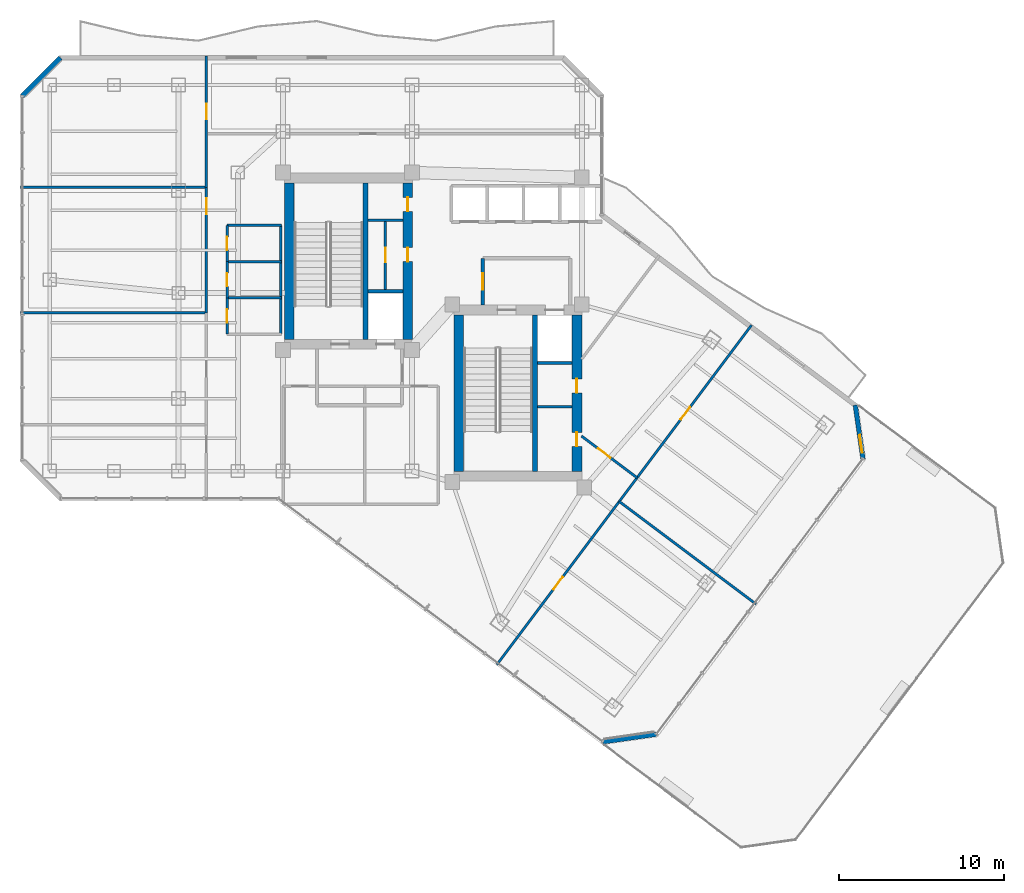
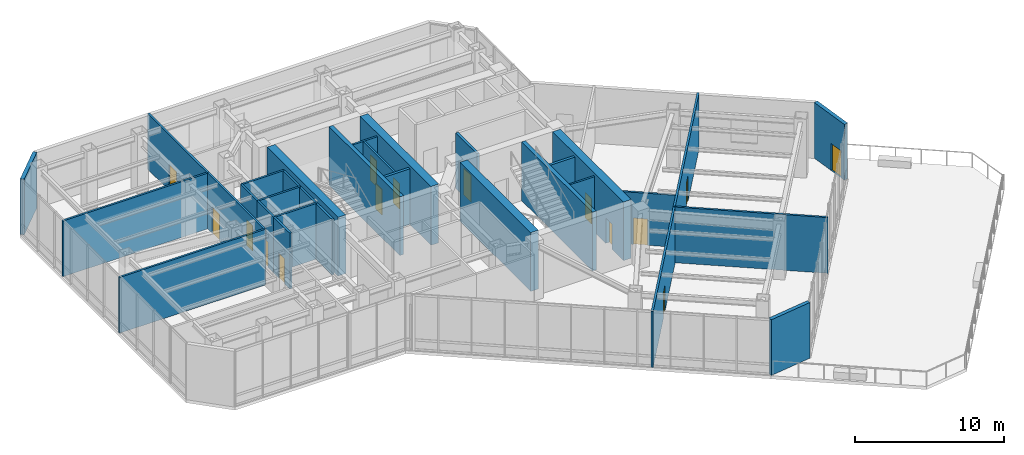
# One storey, part 23 of 30: 30 walls, 15 doors, 15 openings.
"""IFC4 building model written with IfcOpenShell, lengths in metres."""

from ifc_helpers import new_model, si_unit, direction, frame, frame_2d, origin, place, context, subcontext, project, spatial, rectangle, extrude, material, layer, layer_set, type_object, element, fill, save


model = new_model("IFC4")

# Units and contexts
model_context = context("Model", 3, precision=1e-05, world=origin(), true_north=direction((0.0, 1.0)))
body_context = subcontext(model_context, "Body", "Model", "MODEL_VIEW")
ifc_project = project(units=[si_unit("LENGTHUNIT", "METRE"), si_unit("AREAUNIT", "SQUARE_METRE"), si_unit("VOLUMEUNIT", "CUBIC_METRE"), si_unit("PLANEANGLEUNIT", "RADIAN"), si_unit("MASSUNIT", "GRAM", prefix="KILO")], contexts=[model_context])

# Site, building, storey
site_placement = place(None, origin())
site = spatial("IfcSite", under=ifc_project, at=site_placement, CompositionType="ELEMENT")
building_placement = place(site_placement, origin())
building = spatial("IfcBuilding", under=site, at=building_placement, Name="Hatsunagi Terrace Concourse", CompositionType="ELEMENT")
storey_placement = place(building_placement, frame((0.0, 0.0, 130.050048828125)))
storey = spatial("IfcBuildingStorey", under=building, at=storey_placement, Name="L34", CompositionType="ELEMENT", Elevation=130.050048828125)

# Wall
ifc_material_1 = material(Name="Concrete Fc48", Category="concrete")
ifc_layer_1 = layer(ifc_material_1, 0.60009765625)
ifc_layer_set_1 = layer_set([ifc_layer_1], Name="CoreShearWall_Fc48_600")
wall_type_1 = type_object("IfcWallType", Name="CoreShearWall_Fc48_600", PredefinedType="SHEAR", material=ifc_layer_set_1)
wall_1_placement = place(storey_placement, frame((25.919921875, 33.18994140625, 0.0), z_axis=(0.0, 0.0, 1.0), x_axis=(0.0, 1.0, 0.0)))
element("IfcWall", 1, at=wall_1_placement, inside=storey, type_object=wall_type_1, Name="Core A Shear Wall W L34", PredefinedType="SHEAR", context=body_context, shape_type="SweptSolid", body=[
    extrude(rectangle(XDim=9.47998046875, YDim=0.60009765625, at=frame_2d((4.739990234375, 0.0))), origin(), (0.0, 0.0, 1.0), 4.800048828125),
])

# Wall, openings, doors
wall_2_placement = place(storey_placement, frame((33.10009765625, 33.18994140625, 0.0), z_axis=(0.0, 0.0, 1.0), x_axis=(0.0, 1.0, 0.0)))
wall_2 = element("IfcWall", 2, at=wall_2_placement, inside=storey, type_object=wall_type_1, Name="Core A Shear Wall E L34", PredefinedType="SHEAR", context=body_context, shape_type="SweptSolid", body=[
    extrude(rectangle(XDim=9.47998046875, YDim=0.60009765625, at=frame_2d((4.739990234375, 0.0))), origin(), (0.0, 0.0, 1.0), 4.800048828125),
])
opening_1_placement = place(wall_2_placement, frame((4.7099609375, 0.0, 0.0)))
opening_1 = element("IfcOpeningElement", 3, at=opening_1_placement, cuts=wall_2, Name="Opening DR-085", PredefinedType="OPENING", context=body_context, shape_type="SweptSolid", body=[
    extrude(rectangle(XDim=0.85009765625, YDim=2.080078125, at=frame_2d((0.425048828125, 1.0400390625))), frame((0.0, 0.31005859375, 0.0), z_axis=(0.0, -1.0, 0.0), x_axis=(1.0, 0.0, 0.0)), (0.0, 0.0, 1.0), 0.6201171875),
])
opening_2_placement = place(wall_2_placement, frame((7.760009765625, 0.0, 0.0)))
opening_2 = element("IfcOpeningElement", 4, at=opening_2_placement, cuts=wall_2, Name="Opening DR-085", PredefinedType="OPENING", context=body_context, shape_type="SweptSolid", body=[
    extrude(rectangle(XDim=0.85009765625, YDim=2.080078125, at=frame_2d((0.425048828125, 1.0400390625))), frame((0.0, 0.31005859375, 0.0), z_axis=(0.0, -1.0, 0.0), x_axis=(1.0, 0.0, 0.0)), (0.0, 0.0, 1.0), 0.6201171875),
])
ifc_material_2 = material(Name="Painted steel", Category="steel")
door_type_1 = type_object("IfcDoorType", Name="RiserAccessDoor_EI60_850", OperationType="NOTDEFINED", PredefinedType="DOOR", material=ifc_material_2)
door_1_placement = place(opening_1_placement, origin())
door_1 = element("IfcDoor", 5, at=door_1_placement, inside=storey, type_object=door_type_1, Name="Core A Riser Door L34-1", OperationType="SINGLE_SWING_LEFT", OverallHeight=2.080078125, OverallWidth=0.85009765625, PredefinedType="DOOR", context=body_context, shape_type="SweptSolid", body=[
    extrude(rectangle(XDim=0.85009765625, YDim=2.080078125, at=frame_2d((0.425048828125, 1.0400390625))), frame((0.0, 0.02490234375, 0.0), z_axis=(0.0, -1.0, 0.0), x_axis=(1.0, 0.0, 0.0)), (0.0, 0.0, 1.0), 0.050048828125),
])
fill(opening_1, door_1)
door_2_placement = place(opening_2_placement, origin())
door_2 = element("IfcDoor", 6, at=door_2_placement, inside=storey, type_object=door_type_1, Name="Core A Riser Door L34-2", OperationType="SINGLE_SWING_LEFT", OverallHeight=2.080078125, OverallWidth=0.85009765625, PredefinedType="DOOR", context=body_context, shape_type="SweptSolid", body=[
    extrude(rectangle(XDim=0.85009765625, YDim=2.080078125, at=frame_2d((0.425048828125, 1.0400390625))), frame((0.0, 0.02490234375, 0.0), z_axis=(0.0, -1.0, 0.0), x_axis=(1.0, 0.0, 0.0)), (0.0, 0.0, 1.0), 0.050048828125),
])
fill(opening_2, door_2)

# Wall
wall_3_placement = place(storey_placement, frame((36.18994140625, 25.18994140625, 0.0), z_axis=(0.0, 0.0, 1.0), x_axis=(0.0, 1.0, 0.0)))
element("IfcWall", 7, at=wall_3_placement, inside=storey, type_object=wall_type_1, Name="Core B Shear Wall W L34", PredefinedType="SHEAR", context=body_context, shape_type="SweptSolid", body=[
    extrude(rectangle(XDim=9.47998046875, YDim=0.60009765625, at=frame_2d((4.739990234375, 0.0))), origin(), (0.0, 0.0, 1.0), 4.800048828125),
])

# Wall, openings, doors
wall_4_placement = place(storey_placement, frame((43.35009765625, 25.18994140625, 0.0), z_axis=(0.0, 0.0, 1.0), x_axis=(0.0, 1.0, 0.0)))
wall_4 = element("IfcWall", 8, at=wall_4_placement, inside=storey, type_object=wall_type_1, Name="Core B Shear Wall E L34", PredefinedType="SHEAR", context=body_context, shape_type="SweptSolid", body=[
    extrude(rectangle(XDim=9.47998046875, YDim=0.60009765625, at=frame_2d((4.739990234375, 0.0))), origin(), (0.0, 0.0, 1.0), 4.800048828125),
])
opening_3_placement = place(wall_4_placement, frame((1.510009765625, 0.0, 0.0)))
opening_3 = element("IfcOpeningElement", 9, at=opening_3_placement, cuts=wall_4, Name="Opening DR-085", PredefinedType="OPENING", context=body_context, shape_type="SweptSolid", body=[
    extrude(rectangle(XDim=0.85009765625, YDim=2.080078125, at=frame_2d((0.425048828125, 1.0400390625))), frame((0.0, 0.31005859375, 0.0), z_axis=(0.0, -1.0, 0.0), x_axis=(1.0, 0.0, 0.0)), (0.0, 0.0, 1.0), 0.6201171875),
])
opening_4_placement = place(wall_4_placement, frame((4.760009765625, 0.0, 0.0)))
opening_4 = element("IfcOpeningElement", 10, at=opening_4_placement, cuts=wall_4, Name="Opening DR-085", PredefinedType="OPENING", context=body_context, shape_type="SweptSolid", body=[
    extrude(rectangle(XDim=0.85009765625, YDim=2.080078125, at=frame_2d((0.425048828125, 1.0400390625))), frame((0.0, 0.31005859375, 0.0), z_axis=(0.0, -1.0, 0.0), x_axis=(1.0, 0.0, 0.0)), (0.0, 0.0, 1.0), 0.6201171875),
])
door_3_placement = place(opening_3_placement, origin())
door_3 = element("IfcDoor", 11, at=door_3_placement, inside=storey, type_object=door_type_1, Name="Core B Riser Door L34-1", OperationType="SINGLE_SWING_RIGHT", OverallHeight=2.080078125, OverallWidth=0.85009765625, PredefinedType="DOOR", context=body_context, shape_type="SweptSolid", body=[
    extrude(rectangle(XDim=0.85009765625, YDim=2.080078125, at=frame_2d((0.425048828125, 1.0400390625))), frame((0.0, 0.02490234375, 0.0), z_axis=(0.0, -1.0, 0.0), x_axis=(1.0, 0.0, 0.0)), (0.0, 0.0, 1.0), 0.050048828125),
])
fill(opening_3, door_3)
door_4_placement = place(opening_4_placement, origin())
door_4 = element("IfcDoor", 12, at=door_4_placement, inside=storey, type_object=door_type_1, Name="Core B Riser Door L34-2", OperationType="SINGLE_SWING_RIGHT", OverallHeight=2.080078125, OverallWidth=0.85009765625, PredefinedType="DOOR", context=body_context, shape_type="SweptSolid", body=[
    extrude(rectangle(XDim=0.85009765625, YDim=2.080078125, at=frame_2d((0.425048828125, 1.0400390625))), frame((0.0, 0.02490234375, 0.0), z_axis=(0.0, -1.0, 0.0), x_axis=(1.0, 0.0, 0.0)), (0.0, 0.0, 1.0), 0.050048828125),
])
fill(opening_4, door_4)

# Walls
ifc_material_3 = material(Name="Concrete Fc48", Category="concrete")
ifc_layer_2 = layer(ifc_material_3, 0.300048828125)
ifc_layer_set_2 = layer_set([ifc_layer_2], Name="CoreStairDivider_Fc48_300")
wall_type_2 = type_object("IfcWallType", Name="CoreStairDivider_Fc48_300", PredefinedType="SHEAR", material=ifc_layer_set_2)
for number, where, z_axis, x_axis, name in (
    (13, (30.5400390625, 33.18994140625, 0.0), (0.0, 0.0, 1.0), (0.0, 1.0, 0.0), "Core A Shear Wall D L34"),
    (14, (40.81005859375, 25.18994140625, 0.0), (0.0, 0.0, 1.0), (0.0, 1.0, 0.0), "Core B Shear Wall D L34"),
):
    element("IfcWall", number, at=place(storey_placement, frame(where, z_axis=z_axis, x_axis=x_axis)), inside=storey, type_object=wall_type_2, Name=name, PredefinedType="SHEAR", context=body_context, shape_type="SweptSolid", body=[
        extrude(rectangle(XDim=9.47998046875, YDim=0.300048828125, at=frame_2d((4.739990234375, 0.0))), origin(), (0.0, 0.0, 1.0), 4.800048828125),
    ])

# Wall, opening, door
ifc_material_4 = material(Name="Acoustic mineral board", Category="gypsum")
ifc_layer_3 = layer(ifc_material_4, 0.14990234375)
ifc_layer_set_3 = layer_set([ifc_layer_3], Name="PartitionWall_EI60_150")
wall_type_3 = type_object("IfcWallType", Name="PartitionWall_EI60_150", PredefinedType="PARTITIONING", material=ifc_layer_set_3)
wall_5_placement = place(storey_placement, frame((31.75, 36.179931640625, 0.0), z_axis=(0.0, 0.0, 1.0), x_axis=(0.0, 1.0, 0.0)))
wall_5 = element("IfcWall", 15, at=wall_5_placement, inside=storey, type_object=wall_type_3, Name="Interior Partition IW-L34-002", PredefinedType="PARTITIONING", context=body_context, shape_type="SweptSolid", body=[
    extrude(rectangle(XDim=4.239990234375, YDim=0.14990234375, at=frame_2d((2.1201171875, 0.0))), origin(), (0.0, 0.0, 1.0), 4.550048828125),
])
opening_5_placement = place(wall_5_placement, frame((1.695068359375, 0.0, 0.0)))
opening_5 = element("IfcOpeningElement", 16, at=opening_5_placement, cuts=wall_5, Name="Opening DR-085", PredefinedType="OPENING", context=body_context, shape_type="SweptSolid", body=[
    extrude(rectangle(XDim=0.85009765625, YDim=2.080078125, at=frame_2d((0.425048828125, 1.0400390625))), frame((0.0, 0.0849609375, 0.0), z_axis=(0.0, -1.0, 0.0), x_axis=(1.0, 0.0, 0.0)), (0.0, 0.0, 1.0), 0.169921875),
])
door_5_placement = place(opening_5_placement, origin())
door_5 = element("IfcDoor", 17, at=door_5_placement, inside=storey, type_object=door_type_1, Name="Core A Sub-Riser Door L34", OperationType="SINGLE_SWING_LEFT", OverallHeight=2.080078125, OverallWidth=0.85009765625, PredefinedType="DOOR", context=body_context, shape_type="SweptSolid", body=[
    extrude(rectangle(XDim=0.85009765625, YDim=2.080078125, at=frame_2d((0.425048828125, 1.0400390625))), frame((0.0, 0.02490234375, 0.0), z_axis=(0.0, -1.0, 0.0), x_axis=(1.0, 0.0, 0.0)), (0.0, 0.0, 1.0), 0.050048828125),
])
fill(opening_5, door_5)

# Walls
wall_6_placement = place(storey_placement, frame((30.699951171875, 40.39990234375, 0.0), z_axis=(0.0, 0.0, 1.0), x_axis=(1.0, 0.0, 0.0)))
element("IfcWall", 18, at=wall_6_placement, inside=storey, type_object=wall_type_3, Name="Interior Partition IW-L34-003", PredefinedType="PARTITIONING", context=body_context, shape_type="SweptSolid", body=[
    extrude(rectangle(XDim=2.10009765625, YDim=0.14990234375, at=frame_2d((1.050048828125, 0.0))), origin(), (0.0, 0.0, 1.0), 4.550048828125),
])
wall_7_placement = place(storey_placement, frame((40.969970703125, 29.10009765625, 0.0), z_axis=(0.0, 0.0, 1.0), x_axis=(1.0, 0.0, 0.0)))
element("IfcWall", 19, at=wall_7_placement, inside=storey, type_object=wall_type_3, Name="Interior Partition IW-L34-005", PredefinedType="PARTITIONING", context=body_context, shape_type="SweptSolid", body=[
    extrude(rectangle(XDim=2.080078125, YDim=0.14990234375, at=frame_2d((1.0400390625, 0.0))), origin(), (0.0, 0.0, 1.0), 4.550048828125),
])
wall_8_placement = place(storey_placement, frame((22.14990234375, 40.10009765625, 0.0), z_axis=(0.0, 0.0, 1.0), x_axis=(1.0, 0.0, 0.0)))
element("IfcWall", 20, at=wall_8_placement, inside=storey, type_object=wall_type_3, Name="Interior Partition IW-L34-019", PredefinedType="PARTITIONING", context=body_context, shape_type="SweptSolid", body=[
    extrude(rectangle(XDim=3.300048828125, YDim=0.14990234375, at=frame_2d((1.64990234375, 0.0))), origin(), (0.0, 0.0, 1.0), 4.550048828125),
])
wall_9_placement = place(storey_placement, frame((25.39990234375, 33.5, 0.0), z_axis=(0.0, 0.0, 1.0), x_axis=(0.0, 1.0, 0.0)))
element("IfcWall", 21, at=wall_9_placement, inside=storey, type_object=wall_type_3, Name="Interior Partition IW-L34-020", PredefinedType="PARTITIONING", context=body_context, shape_type="SweptSolid", body=[
    extrude(rectangle(XDim=6.60009765625, YDim=0.14990234375, at=frame_2d((3.300048828125, 0.0))), origin(), (0.0, 0.0, 1.0), 4.550048828125),
])
for number, where, z_axis, x_axis, name in (
    (22, (22.14990234375, 35.699951171875, 0.0), (0.0, 0.0, 1.0), (1.0, 0.0, 0.0), "Interior Partition IW-L34-021"),
    (23, (22.14990234375, 37.89990234375, 0.0), (0.0, 0.0, 1.0), (1.0, 0.0, 0.0), "Interior Partition IW-L34-022"),
):
    element("IfcWall", number, at=place(storey_placement, frame(where, z_axis=z_axis, x_axis=x_axis)), inside=storey, type_object=wall_type_3, Name=name, PredefinedType="PARTITIONING", context=body_context, shape_type="SweptSolid", body=[
        extrude(rectangle(XDim=3.300048828125, YDim=0.14990234375, at=frame_2d((1.64990234375, 0.0))), origin(), (0.0, 0.0, 1.0), 4.550048828125),
    ])

# Wall, opening, door
wall_10_placement = place(storey_placement, frame((22.14990234375, 33.5, 0.0), z_axis=(0.0, 0.0, 1.0), x_axis=(0.0, 1.0, 0.0)))
wall_10 = element("IfcWall", 24, at=wall_10_placement, inside=storey, type_object=wall_type_3, Name="Interior Partition IW-L34-023", PredefinedType="PARTITIONING", context=body_context, shape_type="SweptSolid", body=[
    extrude(rectangle(XDim=2.199951171875, YDim=0.14990234375, at=frame_2d((1.10009765625, 0.0))), origin(), (0.0, 0.0, 1.0), 4.550048828125),
])
opening_6_placement = place(wall_10_placement, frame((0.699951171875, 0.0, 0.0)))
opening_6 = element("IfcOpeningElement", 25, at=opening_6_placement, cuts=wall_10, Name="Opening DR-080", PredefinedType="OPENING", context=body_context, shape_type="SweptSolid", body=[
    extrude(rectangle(XDim=0.800048828125, YDim=2.06005859375, at=frame_2d((0.39990234375, 1.030029296875))), frame((0.0, 0.0849609375, 0.0), z_axis=(0.0, -1.0, 0.0), x_axis=(1.0, 0.0, 0.0)), (0.0, 0.0, 1.0), 0.169921875),
])
ifc_material_5 = material(Name="Hardwood timber", Category="wood")
door_type_2 = type_object("IfcDoorType", Name="BathroomDoor_800", OperationType="NOTDEFINED", PredefinedType="DOOR", material=ifc_material_5)
door_6_placement = place(opening_6_placement, origin())
door_6 = element("IfcDoor", 26, at=door_6_placement, inside=storey, type_object=door_type_2, Name="Accessible WC Door L34", OperationType="SINGLE_SWING_RIGHT", OverallHeight=2.06005859375, OverallWidth=0.800048828125, PredefinedType="DOOR", context=body_context, shape_type="SweptSolid", body=[
    extrude(rectangle(XDim=0.800048828125, YDim=2.06005859375, at=frame_2d((0.39990234375, 1.030029296875))), frame((0.0, 0.02490234375, 0.0), z_axis=(0.0, -1.0, 0.0), x_axis=(1.0, 0.0, 0.0)), (0.0, 0.0, 1.0), 0.050048828125),
])
fill(opening_6, door_6)

wall_11_placement = place(storey_placement, frame((22.14990234375, 35.699951171875, 0.0), z_axis=(0.0, 0.0, 1.0), x_axis=(0.0, 1.0, 0.0)))
wall_11 = element("IfcWall", 27, at=wall_11_placement, inside=storey, type_object=wall_type_3, Name="Interior Partition IW-L34-024", PredefinedType="PARTITIONING", context=body_context, shape_type="SweptSolid", body=[
    extrude(rectangle(XDim=2.199951171875, YDim=0.14990234375, at=frame_2d((1.10009765625, 0.0))), origin(), (0.0, 0.0, 1.0), 4.550048828125),
])
opening_7_placement = place(wall_11_placement, frame((0.699951171875, 0.0, 0.0)))
opening_7 = element("IfcOpeningElement", 28, at=opening_7_placement, cuts=wall_11, Name="Opening DR-080", PredefinedType="OPENING", context=body_context, shape_type="SweptSolid", body=[
    extrude(rectangle(XDim=0.800048828125, YDim=2.06005859375, at=frame_2d((0.39990234375, 1.030029296875))), frame((0.0, 0.0849609375, 0.0), z_axis=(0.0, -1.0, 0.0), x_axis=(1.0, 0.0, 0.0)), (0.0, 0.0, 1.0), 0.169921875),
])
door_7_placement = place(opening_7_placement, origin())
door_7 = element("IfcDoor", 29, at=door_7_placement, inside=storey, type_object=door_type_2, Name="Female Restroom Door L34", OperationType="SINGLE_SWING_RIGHT", OverallHeight=2.06005859375, OverallWidth=0.800048828125, PredefinedType="DOOR", context=body_context, shape_type="SweptSolid", body=[
    extrude(rectangle(XDim=0.800048828125, YDim=2.06005859375, at=frame_2d((0.39990234375, 1.030029296875))), frame((0.0, 0.02490234375, 0.0), z_axis=(0.0, -1.0, 0.0), x_axis=(1.0, 0.0, 0.0)), (0.0, 0.0, 1.0), 0.050048828125),
])
fill(opening_7, door_7)

wall_12_placement = place(storey_placement, frame((22.14990234375, 37.89990234375, 0.0), z_axis=(0.0, 0.0, 1.0), x_axis=(0.0, 1.0, 0.0)))
wall_12 = element("IfcWall", 30, at=wall_12_placement, inside=storey, type_object=wall_type_3, Name="Interior Partition IW-L34-025", PredefinedType="PARTITIONING", context=body_context, shape_type="SweptSolid", body=[
    extrude(rectangle(XDim=2.2001953125, YDim=0.14990234375, at=frame_2d((1.10009765625, 0.0))), origin(), (0.0, 0.0, 1.0), 4.550048828125),
])
opening_8_placement = place(wall_12_placement, frame((0.699951171875, 0.0, 0.0)))
opening_8 = element("IfcOpeningElement", 31, at=opening_8_placement, cuts=wall_12, Name="Opening DR-080", PredefinedType="OPENING", context=body_context, shape_type="SweptSolid", body=[
    extrude(rectangle(XDim=0.800048828125, YDim=2.06005859375, at=frame_2d((0.39990234375, 1.030029296875))), frame((0.0, 0.0849609375, 0.0), z_axis=(0.0, -1.0, 0.0), x_axis=(1.0, 0.0, 0.0)), (0.0, 0.0, 1.0), 0.169921875),
])
door_8_placement = place(opening_8_placement, origin())
door_8 = element("IfcDoor", 32, at=door_8_placement, inside=storey, type_object=door_type_2, Name="Male Restroom Door L34", OperationType="SINGLE_SWING_RIGHT", OverallHeight=2.06005859375, OverallWidth=0.800048828125, PredefinedType="DOOR", context=body_context, shape_type="SweptSolid", body=[
    extrude(rectangle(XDim=0.800048828125, YDim=2.06005859375, at=frame_2d((0.39990234375, 1.030029296875))), frame((0.0, 0.02490234375, 0.0), z_axis=(0.0, -1.0, 0.0), x_axis=(1.0, 0.0, 0.0)), (0.0, 0.0, 1.0), 0.050048828125),
])
fill(opening_8, door_8)

# Walls
for number, where, z_axis, x_axis, name in (
    (33, (9.639892578125, 34.800048828125, 0.0), (0.0, 0.0, 1.0), (1.0, 0.0, 0.0), "Interior Partition IW-L34-035"),
    (34, (9.639892578125, 42.39990234375, 0.0), (0.0, 0.0, 1.0), (1.0, 0.0, 0.0), "Interior Partition IW-L34-037"),
):
    element("IfcWall", number, at=place(storey_placement, frame(where, z_axis=z_axis, x_axis=x_axis)), inside=storey, type_object=wall_type_3, Name=name, PredefinedType="PARTITIONING", context=body_context, shape_type="SweptSolid", body=[
        extrude(rectangle(XDim=11.260009765625, YDim=0.14990234375, at=frame_2d((5.6298828125, 0.0))), origin(), (0.0, 0.0, 1.0), 4.550048828125),
    ])

# Wall, opening, door
wall_13_placement = place(storey_placement, frame((20.89990234375, 34.800048828125, 0.0), z_axis=(0.0, 0.0, 1.0), x_axis=(0.0, 1.0, 0.0)))
wall_13 = element("IfcWall", 35, at=wall_13_placement, inside=storey, type_object=wall_type_3, Name="Interior Partition IW-L34-038", PredefinedType="PARTITIONING", context=body_context, shape_type="SweptSolid", body=[
    extrude(rectangle(XDim=7.599853515625, YDim=0.14990234375, at=frame_2d((3.7998046875, 0.0))), origin(), (0.0, 0.0, 1.0), 4.550048828125),
])
opening_9_placement = place(wall_13_placement, frame((5.97607421875, 0.0, 0.0)))
opening_9 = element("IfcOpeningElement", 36, at=opening_9_placement, cuts=wall_13, Name="Opening DR-095", PredefinedType="OPENING", context=body_context, shape_type="SweptSolid", body=[
    extrude(rectangle(XDim=0.949951171875, YDim=2.14990234375, at=frame_2d((0.47509765625, 1.074951171875))), frame((0.0, 0.0849609375, 0.0), z_axis=(0.0, -1.0, 0.0), x_axis=(1.0, 0.0, 0.0)), (0.0, 0.0, 1.0), 0.169921875),
])
ifc_material_6 = material(Name="Hardwood timber", Category="wood")
door_type_3 = type_object("IfcDoorType", Name="InteriorSuiteDoor_EI30_950", OperationType="NOTDEFINED", PredefinedType="DOOR", material=ifc_material_6)
door_9_placement = place(opening_9_placement, origin())
door_9 = element("IfcDoor", 37, at=door_9_placement, inside=storey, type_object=door_type_3, Name="Design Studio L34-OW3 Door", OperationType="SINGLE_SWING_RIGHT", OverallHeight=2.14990234375, OverallWidth=0.949951171875, PredefinedType="DOOR", context=body_context, shape_type="SweptSolid", body=[
    extrude(rectangle(XDim=0.949951171875, YDim=2.14990234375, at=frame_2d((0.47509765625, 1.074951171875))), frame((0.0, 0.02490234375, 0.0), z_axis=(0.0, -1.0, 0.0), x_axis=(1.0, 0.0, 0.0)), (0.0, 0.0, 1.0), 0.050048828125),
])
fill(opening_9, door_9)

wall_14_placement = place(storey_placement, frame((20.89990234375, 42.39990234375, 0.0), z_axis=(0.0, 0.0, 1.0), x_axis=(0.0, 1.0, 0.0)))
wall_14 = element("IfcWall", 38, at=wall_14_placement, inside=storey, type_object=wall_type_3, Name="Interior Partition IW-L34-039", PredefinedType="PARTITIONING", context=body_context, shape_type="SweptSolid", body=[
    extrude(rectangle(XDim=7.960205078125, YDim=0.14990234375, at=frame_2d((3.97998046875, 0.0))), origin(), (0.0, 0.0, 1.0), 4.550048828125),
])
opening_10_placement = place(wall_14_placement, frame((4.1298828125, 0.0, 0.0)))
opening_10 = element("IfcOpeningElement", 39, at=opening_10_placement, cuts=wall_14, Name="Opening DR-095", PredefinedType="OPENING", context=body_context, shape_type="SweptSolid", body=[
    extrude(rectangle(XDim=0.949951171875, YDim=2.14990234375, at=frame_2d((0.47509765625, 1.074951171875))), frame((0.0, 0.0849609375, 0.0), z_axis=(0.0, -1.0, 0.0), x_axis=(1.0, 0.0, 0.0)), (0.0, 0.0, 1.0), 0.169921875),
])
door_10_placement = place(opening_10_placement, origin())
door_10 = element("IfcDoor", 40, at=door_10_placement, inside=storey, type_object=door_type_3, Name="Boardroom L34-OW4 Door", OperationType="SINGLE_SWING_RIGHT", OverallHeight=2.14990234375, OverallWidth=0.949951171875, PredefinedType="DOOR", context=body_context, shape_type="SweptSolid", body=[
    extrude(rectangle(XDim=0.949951171875, YDim=2.14990234375, at=frame_2d((0.47509765625, 1.074951171875))), frame((0.0, 0.02490234375, 0.0), z_axis=(0.0, -1.0, 0.0), x_axis=(1.0, 0.0, 0.0)), (0.0, 0.0, 1.0), 0.050048828125),
])
fill(opening_10, door_10)

# Wall
wall_15_placement = place(storey_placement, frame((45.919921875, 23.360107421875, 0.0), z_axis=(0.0, 0.0, 1.0), x_axis=(0.8, -0.6, 0.0)))
element("IfcWall", 41, at=wall_15_placement, inside=storey, type_object=wall_type_3, Name="Interior Partition IW-L34-041", PredefinedType="PARTITIONING", context=body_context, shape_type="SweptSolid", body=[
    extrude(rectangle(XDim=10.360107421875, YDim=0.14990234375, at=frame_2d((5.18017578125, 0.0))), origin(), (0.0, 0.0, 1.0), 4.550048828125),
])

# Wall, opening, door
wall_16_placement = place(storey_placement, frame((38.50390625, 13.471923828125, 0.0), z_axis=(0.0, 0.0, 1.0), x_axis=(0.599993679268, 0.80000474051, 0.0)))
wall_16 = element("IfcWall", 42, at=wall_16_placement, inside=storey, type_object=wall_type_3, Name="Interior Partition IW-L34-042", PredefinedType="PARTITIONING", context=body_context, shape_type="SweptSolid", body=[
    extrude(rectangle(XDim=12.360107421875, YDim=0.14990234375, at=frame_2d((6.18017578125, 0.0))), origin(), (0.0, 0.0, 1.0), 4.550048828125),
])
opening_11_placement = place(wall_16_placement, frame((5.705078125, 0.0, 0.0)))
opening_11 = element("IfcOpeningElement", 43, at=opening_11_placement, cuts=wall_16, Name="Opening DR-095", PredefinedType="OPENING", context=body_context, shape_type="SweptSolid", body=[
    extrude(rectangle(XDim=0.949951171875, YDim=2.14990234375, at=frame_2d((0.47509765625, 1.074951171875))), frame((0.0, 0.0849609375, 0.0), z_axis=(0.0, -1.0, 0.0), x_axis=(1.0, 0.0, 0.0)), (0.0, 0.0, 1.0), 0.169921875),
])
door_11_placement = place(opening_11_placement, origin())
door_11 = element("IfcDoor", 44, at=door_11_placement, inside=storey, type_object=door_type_3, Name="Botanical Lounge L34-OSE1 Door", OperationType="SINGLE_SWING_RIGHT", OverallHeight=2.14990234375, OverallWidth=0.949951171875, PredefinedType="DOOR", context=body_context, shape_type="SweptSolid", body=[
    extrude(rectangle(XDim=0.949951171875, YDim=2.14990234375, at=frame_2d((0.47509765625, 1.074951171875))), frame((0.0, 0.02490234375, 0.0), z_axis=(0.0, -1.0, 0.0), x_axis=(1.0, 0.0, 0.0)), (0.0, 0.0, 1.0), 0.050048828125),
])
fill(opening_11, door_11)

wall_17_placement = place(storey_placement, frame((45.919921875, 23.360107421875, 0.0), z_axis=(0.0, 0.0, 1.0), x_axis=(0.600005847638, 0.799995614238, 0.0)))
wall_17 = element("IfcWall", 45, at=wall_17_placement, inside=storey, type_object=wall_type_3, Name="Interior Partition IW-L34-043", PredefinedType="PARTITIONING", context=body_context, shape_type="SweptSolid", body=[
    extrude(rectangle(XDim=13.360107421875, YDim=0.14990234375, at=frame_2d((6.68017578125, 0.0))), origin(), (0.0, 0.0, 1.0), 4.550048828125),
])
opening_12_placement = place(wall_17_placement, frame((6.205078125, 0.0, 0.0)))
opening_12 = element("IfcOpeningElement", 46, at=opening_12_placement, cuts=wall_17, Name="Opening DR-095", PredefinedType="OPENING", context=body_context, shape_type="SweptSolid", body=[
    extrude(rectangle(XDim=0.949951171875, YDim=2.14990234375, at=frame_2d((0.47509765625, 1.074951171875))), frame((0.0, 0.0849609375, 0.0), z_axis=(0.0, -1.0, 0.0), x_axis=(1.0, 0.0, 0.0)), (0.0, 0.0, 1.0), 0.169921875),
])
door_12_placement = place(opening_12_placement, origin())
door_12 = element("IfcDoor", 47, at=door_12_placement, inside=storey, type_object=door_type_3, Name="Research Focus Suite L34-OSE2 Door", OperationType="SINGLE_SWING_RIGHT", OverallHeight=2.14990234375, OverallWidth=0.949951171875, PredefinedType="DOOR", context=body_context, shape_type="SweptSolid", body=[
    extrude(rectangle(XDim=0.949951171875, YDim=2.14990234375, at=frame_2d((0.47509765625, 1.074951171875))), frame((0.0, 0.02490234375, 0.0), z_axis=(0.0, -1.0, 0.0), x_axis=(1.0, 0.0, 0.0)), (0.0, 0.0, 1.0), 0.050048828125),
])
fill(opening_12, door_12)

wall_18_placement = place(storey_placement, frame((43.6298828125, 27.327880859375, 0.0), z_axis=(0.0, 0.0, 1.0), x_axis=(0.799972182084, -0.600037088764, 0.0)))
wall_18 = element("IfcWall", 48, at=wall_18_placement, inside=storey, type_object=wall_type_3, Name="Interior Partition IW-L34-044", PredefinedType="PARTITIONING", context=body_context, shape_type="SweptSolid", body=[
    extrude(rectangle(XDim=4.212890625, YDim=0.14990234375, at=frame_2d((2.1064453125, 0.0))), origin(), (0.0, 0.0, 1.0), 4.244873046875),
])
opening_13_placement = place(wall_18_placement, frame((1.256103515625, 0.0, 0.0)))
opening_13 = element("IfcOpeningElement", 49, at=opening_13_placement, cuts=wall_18, Name="Opening DR-095", PredefinedType="OPENING", context=body_context, shape_type="SweptSolid", body=[
    extrude(rectangle(XDim=0.949951171875, YDim=2.14990234375, at=frame_2d((0.47509765625, 1.074951171875))), frame((0.0, 0.0849609375, 0.0), z_axis=(0.0, -1.0, 0.0), x_axis=(1.0, 0.0, 0.0)), (0.0, 0.0, 1.0), 0.169921875),
])
door_13_placement = place(opening_13_placement, origin())
door_13 = element("IfcDoor", 50, at=door_13_placement, inside=storey, type_object=door_type_3, Name="Collaboration Lounge L34-OSEN0 Door", OperationType="SINGLE_SWING_LEFT", OverallHeight=2.14990234375, OverallWidth=0.949951171875, PredefinedType="DOOR", context=body_context, shape_type="SweptSolid", body=[
    extrude(rectangle(XDim=0.949951171875, YDim=2.14990234375, at=frame_2d((0.47509765625, 1.074951171875))), frame((0.0, 0.02490234375, 0.0), z_axis=(0.0, -1.0, 0.0), x_axis=(1.0, 0.0, 0.0)), (0.0, 0.0, 1.0), 0.050048828125),
])
fill(opening_13, door_13)

# Walls
ifc_material_7 = material(Name="Acoustic mineral board", Category="gypsum")
ifc_layer_4 = layer(ifc_material_7, 0.199951171875)
ifc_layer_set_4 = layer_set([ifc_layer_4], Name="ShaftWall_EI120_200")
wall_type_4 = type_object("IfcWallType", Name="ShaftWall_EI120_200", PredefinedType="STANDARD", material=ifc_layer_set_4)
wall_19_placement = place(storey_placement, frame((30.699951171875, 36.10009765625, 0.0), z_axis=(0.0, 0.0, 1.0), x_axis=(1.0, 0.0, 0.0)))
element("IfcWall", 51, at=wall_19_placement, inside=storey, type_object=wall_type_4, Name="Interior Partition IW-L34-001", PredefinedType="STANDARD", context=body_context, shape_type="SweptSolid", body=[
    extrude(rectangle(XDim=2.10009765625, YDim=0.199951171875, at=frame_2d((1.050048828125, 0.0))), origin(), (0.0, 0.0, 1.0), 4.550048828125),
])
wall_20_placement = place(storey_placement, frame((40.969970703125, 31.760009765625, 0.0), z_axis=(0.0, 0.0, 1.0), x_axis=(1.0, 0.0, 0.0)))
element("IfcWall", 52, at=wall_20_placement, inside=storey, type_object=wall_type_4, Name="Interior Partition IW-L34-004", PredefinedType="STANDARD", context=body_context, shape_type="SweptSolid", body=[
    extrude(rectangle(XDim=2.080078125, YDim=0.199951171875, at=frame_2d((1.0400390625, 0.0))), origin(), (0.0, 0.0, 1.0), 4.550048828125),
])

# Wall, opening, door
wall_21_placement = place(storey_placement, frame((37.64990234375, 35.27001953125, 0.0), z_axis=(0.0, 0.0, 1.0), x_axis=(0.0, 1.0, 0.0)))
wall_21 = element("IfcWall", 53, at=wall_21_placement, inside=storey, type_object=wall_type_4, Name="Interior Partition IW-L34-011", PredefinedType="STANDARD", context=body_context, shape_type="SweptSolid", body=[
    extrude(rectangle(XDim=2.830078125, YDim=0.199951171875, at=frame_2d((1.4150390625, 0.0))), origin(), (0.0, 0.0, 1.0), 4.550048828125),
])
opening_14_placement = place(wall_21_placement, frame((0.9150390625, 0.0, 0.0)))
opening_14 = element("IfcOpeningElement", 54, at=opening_14_placement, cuts=wall_21, Name="Opening DR-100F", PredefinedType="OPENING", context=body_context, shape_type="SweptSolid", body=[
    extrude(rectangle(XDim=1.0, YDim=2.199951171875, at=frame_2d((0.5, 1.10009765625))), frame((0.0, 0.10986328125, 0.0), z_axis=(0.0, -1.0, 0.0), x_axis=(1.0, 0.0, 0.0)), (0.0, 0.0, 1.0), 0.219970703125),
])
ifc_material_8 = material(Name="Painted steel", Category="steel")
door_type_4 = type_object("IfcDoorType", Name="FireDoor_EI60_1000", OperationType="NOTDEFINED", PredefinedType="DOOR", material=ifc_material_8)
door_14_placement = place(opening_14_placement, origin())
door_14 = element("IfcDoor", 55, at=door_14_placement, inside=storey, type_object=door_type_4, Name="Firefighting Lobby B Door L34", OperationType="SINGLE_SWING_RIGHT", OverallHeight=2.199951171875, OverallWidth=1.0, PredefinedType="DOOR", context=body_context, shape_type="SweptSolid", body=[
    extrude(rectangle(XDim=1.0, YDim=2.199951171875, at=frame_2d((0.5, 1.10009765625))), frame((0.0, 0.02490234375, 0.0), z_axis=(0.0, -1.0, 0.0), x_axis=(1.0, 0.0, 0.0)), (0.0, 0.0, 1.0), 0.050048828125),
])
fill(opening_14, door_14)

ifc_material_9 = material(Name="Autoclaved Lightweight Concrete and Terracotta Cladding", Category="masonry")
ifc_layer_5 = layer(ifc_material_9, 0.280029296875)
ifc_layer_set_5 = layer_set([ifc_layer_5], Name="TerracottaSpandrelWall_280")
wall_type_5 = type_object("IfcWallType", Name="TerracottaSpandrelWall_280", PredefinedType="STANDARD", material=ifc_layer_set_5)
wall_22_placement = place(storey_placement, frame((60.22998046875, 29.202880859375, 0.0), z_axis=(0.0, 0.0, 1.0), x_axis=(0.141296221922, -0.989967361922, 0.0)))
wall_22 = element("IfcWall", 56, at=wall_22_placement, inside=storey, type_object=wall_type_5, Name="Exterior Spandrel Wall EW-L34-02", PredefinedType="STANDARD", context=body_context, shape_type="SweptSolid", body=[
    extrude(rectangle(XDim=3.27783203125, YDim=0.280029296875, at=frame_2d((1.638916015625, 0.0))), origin(), (0.0, 0.0, 1.0), 4.550048828125),
])
opening_15_placement = place(wall_22_placement, frame((1.827880859375, 0.0, 0.0)))
opening_15 = element("IfcOpeningElement", 57, at=opening_15_placement, cuts=wall_22, Name="Opening BD-01", PredefinedType="OPENING", context=body_context, shape_type="SweptSolid", body=[
    extrude(rectangle(XDim=1.10009765625, YDim=2.199951171875, at=frame_2d((0.550048828125, 1.10009765625))), frame((0.0, 0.14990234375, 0.0), z_axis=(0.0, -1.0, 0.0), x_axis=(1.0, 0.0, 0.0)), (0.0, 0.0, 1.0), 0.300048828125),
])
ifc_material_10 = material(Name="Galvanised Steel and Laminated Safety Glass", Category="steel")
door_type_5 = type_object("IfcDoorType", Name="BalconyTerraceAccessDoor_1100x2200", OperationType="SINGLE_SWING_LEFT", PredefinedType="DOOR", material=ifc_material_10)
door_15_placement = place(opening_15_placement, origin())
door_15 = element("IfcDoor", 58, at=door_15_placement, inside=storey, type_object=door_type_5, Name="Sky Garden Terrace Door TER-L34-1", OperationType="SINGLE_SWING_LEFT", OverallHeight=2.199951171875, OverallWidth=1.10009765625, PredefinedType="DOOR", context=body_context, shape_type="SweptSolid", body=[
    extrude(rectangle(XDim=1.10009765625, YDim=2.199951171875, at=frame_2d((0.550048828125, 1.10009765625))), frame((0.0, 0.02490234375, 0.0), z_axis=(0.0, -1.0, 0.0), x_axis=(1.0, 0.0, 0.0)), (0.0, 0.0, 1.0), 0.050048828125),
])
fill(opening_15, door_15)

# Walls
wall_23_placement = place(storey_placement, frame((48.1630859375, 9.25, 0.0), z_axis=(0.0, 0.0, 1.0), x_axis=(-0.989979263428, -0.141212810973, 0.0)))
element("IfcWall", 59, at=wall_23_placement, inside=storey, type_object=wall_type_5, Name="Exterior Spandrel Wall EW-L34-04", PredefinedType="STANDARD", context=body_context, shape_type="SweptSolid", body=[
    extrude(rectangle(XDim=3.278076171875, YDim=0.280029296875, at=frame_2d((1.63916015625, 0.0))), origin(), (0.0, 0.0, 1.0), 4.550048828125),
])
wall_24_placement = place(storey_placement, frame((9.739990234375, 47.94189453125, 0.0), z_axis=(0.0, 0.0, 1.0), x_axis=(0.707106781187, 0.707106781187, 0.0)))
element("IfcWall", 60, at=wall_24_placement, inside=storey, type_object=wall_type_5, Name="Exterior Spandrel Wall EW-L34-10", PredefinedType="STANDARD", context=body_context, shape_type="SweptSolid", body=[
    extrude(rectangle(XDim=3.2783203125, YDim=0.280029296875, at=frame_2d((1.63916015625, 0.0))), origin(), (0.0, 0.0, 1.0), 4.550048828125),
])

save(model, "model.ifc")
